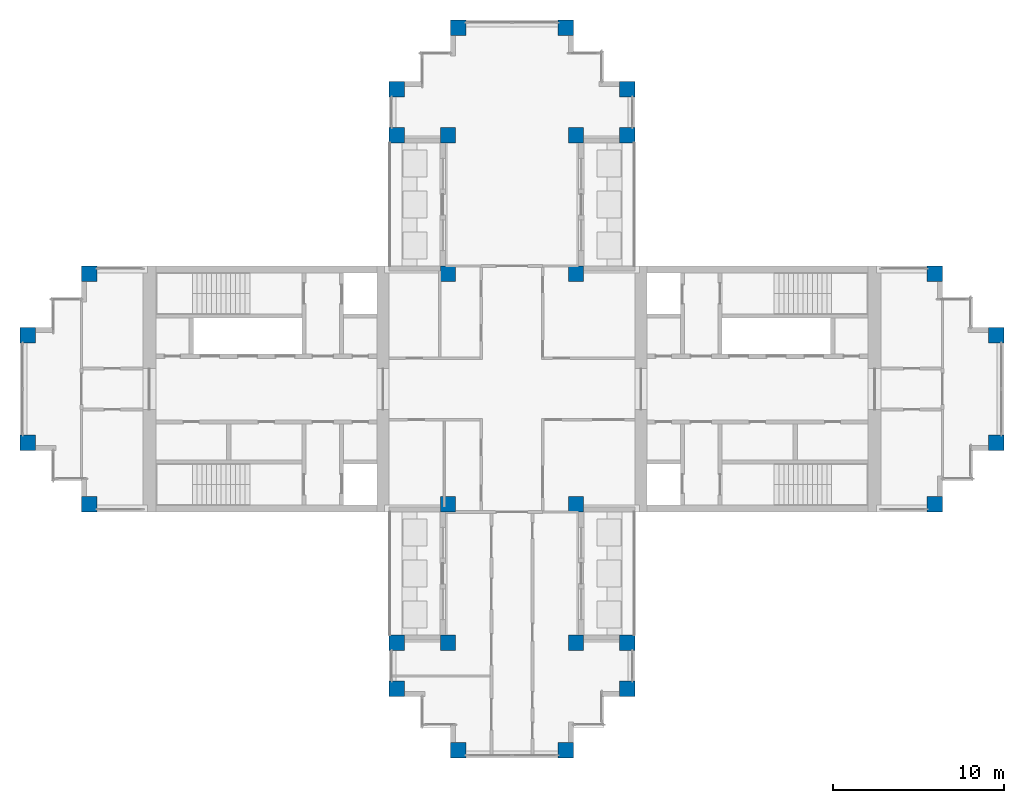
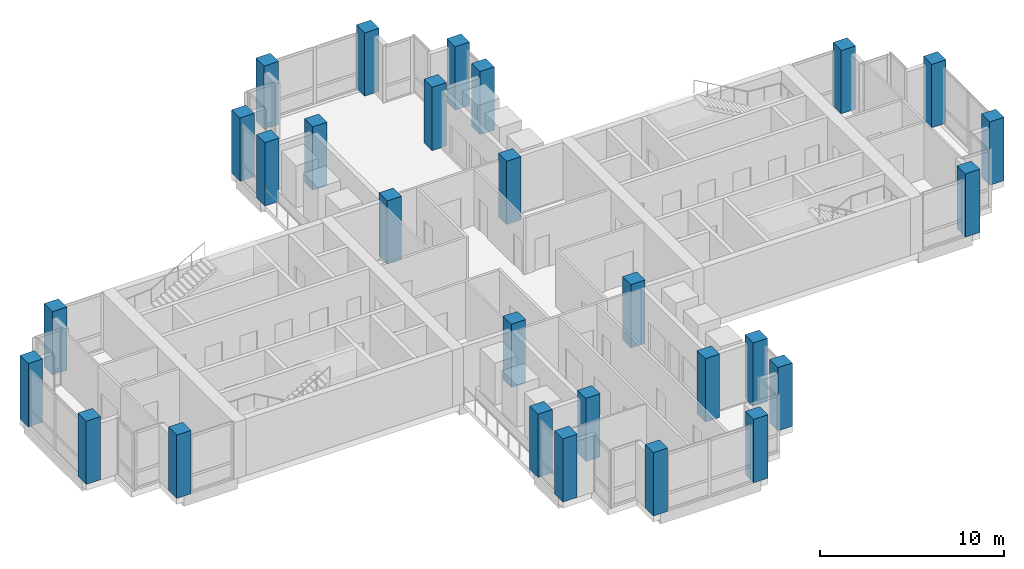
# One storey, part 1 of 13: 28 columns.
"""IFC4 building model written with IfcOpenShell, lengths in metres."""

from ifc_helpers import new_model, si_unit, direction, frame, origin, origin_2d, place, context, subcontext, project, spatial, rectangle, extrude, material, material_profile, profile_set, type_object, element, save


model = new_model("IFC4")

# Units and contexts
model_context = context("Model", 3, precision=1e-05, world=origin(), true_north=direction((0.0, 1.0)))
body_context = subcontext(model_context, "Body", "Model", "MODEL_VIEW")
ifc_project = project(units=[si_unit("LENGTHUNIT", "METRE"), si_unit("AREAUNIT", "SQUARE_METRE"), si_unit("VOLUMEUNIT", "CUBIC_METRE"), si_unit("PLANEANGLEUNIT", "RADIAN"), si_unit("MASSUNIT", "GRAM", prefix="KILO")], contexts=[model_context])

# Site, building, storey
site_placement = place(None, origin())
site = spatial("IfcSite", under=ifc_project, at=site_placement, CompositionType="ELEMENT")
building_placement = place(site_placement, origin())
building = spatial("IfcBuilding", under=site, at=building_placement, Name="Fustian Cross Tower", CompositionType="ELEMENT")
storey_placement = place(building_placement, frame((0.0, 0.0, 237.89990234375)))
storey = spatial("IfcBuildingStorey", under=building, at=storey_placement, Name="L75", CompositionType="ELEMENT", Elevation=237.89990234375)

# Columns
ifc_material = material(Name="Concrete C40/50", Category="concrete")
ifc_material_profile = material_profile(ifc_material, rectangle(XDim=0.89990234375, YDim=0.89990234375, at=origin_2d()), Name="RC 900x900")
ifc_profile_set = profile_set([ifc_material_profile], Name="Concrete C40/50")
column_type = type_object("IfcColumnType", Name="COLUMN RC 900x900 C40/50", PredefinedType="COLUMN", material=ifc_profile_set)
for number, where, z_axis, x_axis, name in (
    (1, (-28.35009765625, -3.14990234375, 0.0), (0.0, 0.0, 1.0), (1.0, 0.0, 0.0), "COLUMN 008"),
    (2, (-28.35009765625, 3.14990234375, 0.0), (0.0, 0.0, 1.0), (1.0, 0.0, 0.0), "COLUMN 009"),
    (3, (-24.75, -6.75, 0.0), (0.0, 0.0, 1.0), (1.0, 0.0, 0.0), "COLUMN 011"),
    (4, (-24.75, 6.75, 0.0), (0.0, 0.0, 1.0), (1.0, 0.0, 0.0), "COLUMN 012"),
    (5, (-6.75, -17.550048828125, 0.0), (0.0, 0.0, 1.0), (1.0, 0.0, 0.0), "COLUMN 017"),
    (6, (-6.75, -14.85009765625, 0.0), (0.0, 0.0, 1.0), (1.0, 0.0, 0.0), "COLUMN 018"),
    (7, (-6.75, 14.85009765625, 0.0), (0.0, 0.0, 1.0), (1.0, 0.0, 0.0), "COLUMN 019"),
    (8, (-6.75, 17.550048828125, 0.0), (0.0, 0.0, 1.0), (1.0, 0.0, 0.0), "COLUMN 020"),
    (9, (-3.75, -14.85009765625, 0.0), (0.0, 0.0, 1.0), (1.0, 0.0, 0.0), "COLUMN 025"),
    (10, (-3.75, -6.75, 0.0), (0.0, 0.0, 1.0), (1.0, 0.0, 0.0), "COLUMN 026"),
    (11, (-3.75, 6.75, 0.0), (0.0, 0.0, 1.0), (1.0, 0.0, 0.0), "COLUMN 027"),
    (12, (-3.75, 14.85009765625, 0.0), (0.0, 0.0, 1.0), (1.0, 0.0, 0.0), "COLUMN 028"),
    (13, (-3.14990234375, -21.14990234375, 0.0), (0.0, 0.0, 1.0), (1.0, 0.0, 0.0), "COLUMN 030"),
    (14, (-3.14990234375, 21.14990234375, 0.0), (0.0, 0.0, 1.0), (1.0, 0.0, 0.0), "COLUMN 031"),
    (15, (3.14990234375, -21.14990234375, 0.0), (0.0, 0.0, 1.0), (1.0, 0.0, 0.0), "COLUMN 034"),
    (16, (3.14990234375, 21.14990234375, 0.0), (0.0, 0.0, 1.0), (1.0, 0.0, 0.0), "COLUMN 035"),
    (17, (3.75, -14.85009765625, 0.0), (0.0, 0.0, 1.0), (1.0, 0.0, 0.0), "COLUMN 037"),
    (18, (3.75, -6.75, 0.0), (0.0, 0.0, 1.0), (1.0, 0.0, 0.0), "COLUMN 038"),
    (19, (3.75, 6.75, 0.0), (0.0, 0.0, 1.0), (1.0, 0.0, 0.0), "COLUMN 039"),
    (20, (3.75, 14.85009765625, 0.0), (0.0, 0.0, 1.0), (1.0, 0.0, 0.0), "COLUMN 040"),
    (21, (6.75, -17.550048828125, 0.0), (0.0, 0.0, 1.0), (1.0, 0.0, 0.0), "COLUMN 045"),
    (22, (6.75, -14.85009765625, 0.0), (0.0, 0.0, 1.0), (1.0, 0.0, 0.0), "COLUMN 046"),
    (23, (6.75, 14.85009765625, 0.0), (0.0, 0.0, 1.0), (1.0, 0.0, 0.0), "COLUMN 047"),
    (24, (6.75, 17.550048828125, 0.0), (0.0, 0.0, 1.0), (1.0, 0.0, 0.0), "COLUMN 048"),
    (25, (24.75, -6.75, 0.0), (0.0, 0.0, 1.0), (1.0, 0.0, 0.0), "COLUMN 053"),
    (26, (24.75, 6.75, 0.0), (0.0, 0.0, 1.0), (1.0, 0.0, 0.0), "COLUMN 054"),
    (27, (28.35009765625, -3.14990234375, 0.0), (0.0, 0.0, 1.0), (1.0, 0.0, 0.0), "COLUMN 056"),
    (28, (28.35009765625, 3.14990234375, 0.0), (0.0, 0.0, 1.0), (1.0, 0.0, 0.0), "COLUMN 057"),
):
    element("IfcColumn", number, at=place(storey_placement, frame(where, z_axis=z_axis, x_axis=x_axis)), inside=storey, type_object=column_type, Name=name, PredefinedType="COLUMN", context=body_context, shape_type="SweptSolid", body=[
        extrude(rectangle(XDim=0.89990234375, YDim=0.89990234375, at=origin_2d()), origin(), (0.0, 0.0, 1.0), 4.2001953125),
    ])

save(model, "model.ifc")
